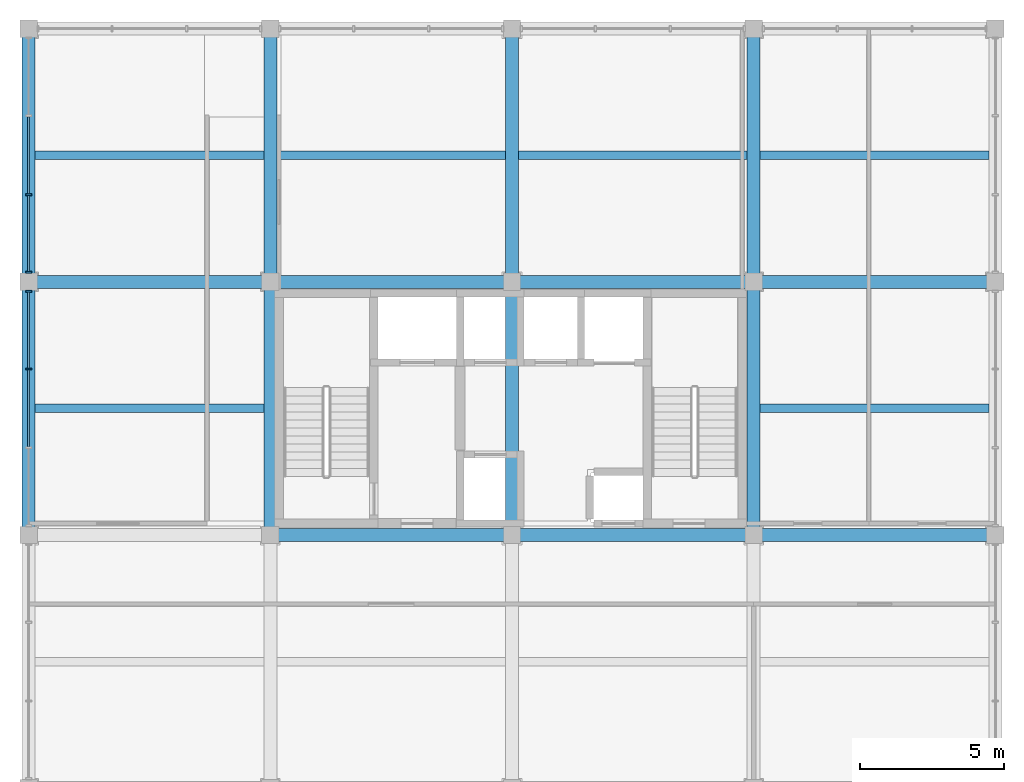
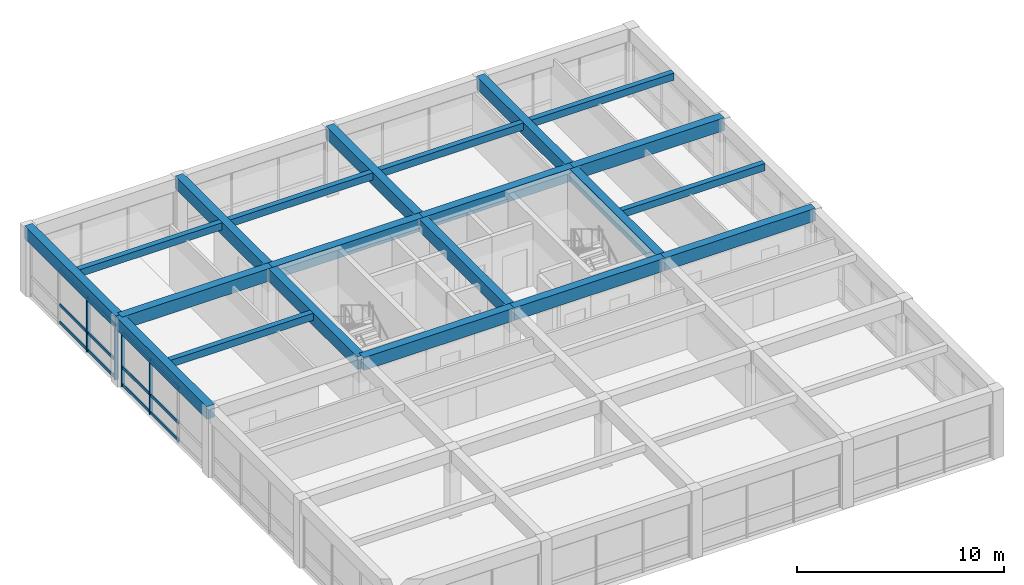
# One storey, part 4 of 14: 21 beams, 16 members, 2 elements without a shape of their own.
"""IFC4 building model written with IfcOpenShell, lengths in metres."""

from ifc_helpers import new_model, si_unit, direction, frame, origin, origin_2d, place, context, subcontext, project, spatial, rectangle, extrude, material, material_profile, profile_set, type_object, element, aggregate, save


model = new_model("IFC4")

# Units and contexts
model_context = context("Model", 3, precision=1e-05, world=origin(), true_north=direction((0.0, 1.0)))
body_context = subcontext(model_context, "Body", "Model", "MODEL_VIEW")
ifc_project = project(units=[si_unit("LENGTHUNIT", "METRE"), si_unit("AREAUNIT", "SQUARE_METRE"), si_unit("VOLUMEUNIT", "CUBIC_METRE"), si_unit("PLANEANGLEUNIT", "RADIAN"), si_unit("MASSUNIT", "GRAM", prefix="KILO")], contexts=[model_context])

# Site, building, storey
site_placement = place(None, origin())
site = spatial("IfcSite", under=ifc_project, at=site_placement, CompositionType="ELEMENT")
building_placement = place(site_placement, origin())
building = spatial("IfcBuilding", under=site, at=building_placement, Name="Kemercrest Conservatory and Botanical Centre", CompositionType="ELEMENT")
storey_placement = place(building_placement, frame((0.0, 0.0, 59.800048828125)))
storey = spatial("IfcBuildingStorey", under=building, at=storey_placement, Name="L15", CompositionType="ELEMENT", Elevation=59.800048828125)

# Beams
ifc_material_1 = material(Name="Concrete C40/50", Category="concrete")
ifc_material_profile_1 = material_profile(ifc_material_1, rectangle(XDim=0.449951171875, YDim=0.75, at=origin_2d()), Name="RC 450x750")
ifc_profile_set_1 = profile_set([ifc_material_profile_1], Name="Concrete C40/50")
beam_type_1 = type_object("IfcBeamType", Name="BM-RC75", PredefinedType="BEAM", material=ifc_profile_set_1)
beam_1_placement = place(storey_placement, frame((150.800048828125, 104.800048828125, 3.625), z_axis=(1.0, 0.0, 0.0), x_axis=(0.0, 1.0, 0.0)))
element("IfcBeam", 1, at=beam_1_placement, inside=storey, type_object=beam_type_1, Name="V4-L16 beam BM-RC75 M/18-19", PredefinedType="BEAM", context=body_context, shape_type="SweptSolid", body=[
    extrude(rectangle(XDim=0.449951171875, YDim=0.75, at=origin_2d()), origin(), (0.0, 0.0, 1.0), 8.39990234375),
])
beam_2_placement = place(storey_placement, frame((159.199951171875, 104.800048828125, 3.625), z_axis=(1.0, 0.0, 0.0), x_axis=(0.0, 1.0, 0.0)))
element("IfcBeam", 2, at=beam_2_placement, inside=storey, type_object=beam_type_1, Name="V4-L16 beam BM-RC75 M/19-20", PredefinedType="BEAM", context=body_context, shape_type="SweptSolid", body=[
    extrude(rectangle(XDim=0.449951171875, YDim=0.75, at=origin_2d()), origin(), (0.0, 0.0, 1.0), 8.400146484375),
])
beam_3_placement = place(storey_placement, frame((167.60009765625, 104.800048828125, 3.625), z_axis=(1.0, 0.0, 0.0), x_axis=(0.0, 1.0, 0.0)))
element("IfcBeam", 3, at=beam_3_placement, inside=storey, type_object=beam_type_1, Name="V4-L16 beam BM-RC75 M/20-21", PredefinedType="BEAM", context=body_context, shape_type="SweptSolid", body=[
    extrude(rectangle(XDim=0.449951171875, YDim=0.75, at=origin_2d()), origin(), (0.0, 0.0, 1.0), 8.39990234375),
])
beam_4_placement = place(storey_placement, frame((142.39990234375, 113.60009765625, 3.625), z_axis=(1.0, 0.0, 0.0), x_axis=(0.0, 1.0, 0.0)))
element("IfcBeam", 4, at=beam_4_placement, inside=storey, type_object=beam_type_1, Name="V4-L16 beam BM-RC75 N/17-18", PredefinedType="BEAM", context=body_context, shape_type="SweptSolid", body=[
    extrude(rectangle(XDim=0.449951171875, YDim=0.75, at=origin_2d()), origin(), (0.0, 0.0, 1.0), 8.400146484375),
])
beam_5_placement = place(storey_placement, frame((150.800048828125, 113.60009765625, 3.625), z_axis=(1.0, 0.0, 0.0), x_axis=(0.0, 1.0, 0.0)))
element("IfcBeam", 5, at=beam_5_placement, inside=storey, type_object=beam_type_1, Name="V4-L16 beam BM-RC75 N/18-19", PredefinedType="BEAM", context=body_context, shape_type="SweptSolid", body=[
    extrude(rectangle(XDim=0.449951171875, YDim=0.75, at=origin_2d()), origin(), (0.0, 0.0, 1.0), 8.39990234375),
])
beam_6_placement = place(storey_placement, frame((159.199951171875, 113.60009765625, 3.625), z_axis=(1.0, 0.0, 0.0), x_axis=(0.0, 1.0, 0.0)))
element("IfcBeam", 6, at=beam_6_placement, inside=storey, type_object=beam_type_1, Name="V4-L16 beam BM-RC75 N/19-20", PredefinedType="BEAM", context=body_context, shape_type="SweptSolid", body=[
    extrude(rectangle(XDim=0.449951171875, YDim=0.75, at=origin_2d()), origin(), (0.0, 0.0, 1.0), 8.400146484375),
])
beam_7_placement = place(storey_placement, frame((167.60009765625, 113.60009765625, 3.625), z_axis=(1.0, 0.0, 0.0), x_axis=(0.0, 1.0, 0.0)))
element("IfcBeam", 7, at=beam_7_placement, inside=storey, type_object=beam_type_1, Name="V4-L16 beam BM-RC75 N/20-21", PredefinedType="BEAM", context=body_context, shape_type="SweptSolid", body=[
    extrude(rectangle(XDim=0.449951171875, YDim=0.75, at=origin_2d()), origin(), (0.0, 0.0, 1.0), 8.39990234375),
])
beam_8_placement = place(storey_placement, frame((150.800048828125, 104.800048828125, 3.625), z_axis=(0.0, 1.0, 0.0), x_axis=(-1.0, 0.0, 0.0)))
element("IfcBeam", 8, at=beam_8_placement, inside=storey, type_object=beam_type_1, Name="V4-L16 beam BM-RC75 18/M-N", PredefinedType="BEAM", context=body_context, shape_type="SweptSolid", body=[
    extrude(rectangle(XDim=0.449951171875, YDim=0.75, at=origin_2d()), origin(), (0.0, 0.0, 1.0), 8.800048828125),
])
beam_9_placement = place(storey_placement, frame((150.800048828125, 113.60009765625, 3.625), z_axis=(0.0, 1.0, 0.0), x_axis=(-1.0, 0.0, 0.0)))
element("IfcBeam", 9, at=beam_9_placement, inside=storey, type_object=beam_type_1, Name="V4-L16 beam BM-RC75 18/N-P", PredefinedType="BEAM", context=body_context, shape_type="SweptSolid", body=[
    extrude(rectangle(XDim=0.449951171875, YDim=0.75, at=origin_2d()), origin(), (0.0, 0.0, 1.0), 8.7998046875),
])
beam_10_placement = place(storey_placement, frame((159.199951171875, 104.800048828125, 3.625), z_axis=(0.0, 1.0, 0.0), x_axis=(-1.0, 0.0, 0.0)))
element("IfcBeam", 10, at=beam_10_placement, inside=storey, type_object=beam_type_1, Name="V4-L16 beam BM-RC75 19/M-N", PredefinedType="BEAM", context=body_context, shape_type="SweptSolid", body=[
    extrude(rectangle(XDim=0.449951171875, YDim=0.75, at=origin_2d()), origin(), (0.0, 0.0, 1.0), 8.800048828125),
])
beam_11_placement = place(storey_placement, frame((159.199951171875, 113.60009765625, 3.625), z_axis=(0.0, 1.0, 0.0), x_axis=(-1.0, 0.0, 0.0)))
element("IfcBeam", 11, at=beam_11_placement, inside=storey, type_object=beam_type_1, Name="V4-L16 beam BM-RC75 19/N-P", PredefinedType="BEAM", context=body_context, shape_type="SweptSolid", body=[
    extrude(rectangle(XDim=0.449951171875, YDim=0.75, at=origin_2d()), origin(), (0.0, 0.0, 1.0), 8.7998046875),
])
beam_12_placement = place(storey_placement, frame((167.60009765625, 104.800048828125, 3.625), z_axis=(0.0, 1.0, 0.0), x_axis=(-1.0, 0.0, 0.0)))
element("IfcBeam", 12, at=beam_12_placement, inside=storey, type_object=beam_type_1, Name="V4-L16 beam BM-RC75 20/M-N", PredefinedType="BEAM", context=body_context, shape_type="SweptSolid", body=[
    extrude(rectangle(XDim=0.449951171875, YDim=0.75, at=origin_2d()), origin(), (0.0, 0.0, 1.0), 8.800048828125),
])
beam_13_placement = place(storey_placement, frame((167.60009765625, 113.60009765625, 3.625), z_axis=(0.0, 1.0, 0.0), x_axis=(-1.0, 0.0, 0.0)))
element("IfcBeam", 13, at=beam_13_placement, inside=storey, type_object=beam_type_1, Name="V4-L16 beam BM-RC75 20/N-P", PredefinedType="BEAM", context=body_context, shape_type="SweptSolid", body=[
    extrude(rectangle(XDim=0.449951171875, YDim=0.75, at=origin_2d()), origin(), (0.0, 0.0, 1.0), 8.7998046875),
])

# Curtain wall, members
ifc_material_2 = material(Name="Thermally broken aluminium and triple low-e glazing", Category="aluminium")
curtain_wall_type_1 = type_object("IfcCurtainWallType", Name="CW-08", PredefinedType="USERDEFINED", material=ifc_material_2)
curtain_wall_1_placement = place(storey_placement, origin())
curtain_wall_1 = element("IfcCurtainWall", 14, at=curtain_wall_1_placement, inside=storey, type_object=curtain_wall_type_1, Name="Unitised curtain wall CW-08 (CW:L15:V4-157)", ObjectType="UNITISED CURTAIN WALL", PredefinedType="USERDEFINED")
ifc_material_3 = material(Name="Thermally broken anodized aluminium 6063-T6", Category="aluminium")
ifc_material_profile_2 = material_profile(ifc_material_3, rectangle(XDim=0.199951171875, YDim=0.06494140625, at=origin_2d()), Name="AL MULLION 65x200")
ifc_profile_set_2 = profile_set([ifc_material_profile_2], Name="Thermally broken anodized aluminium 6063-T6")
member_type_1 = type_object("IfcMemberType", Name="CW-M200", PredefinedType="MULLION", material=ifc_profile_set_2)
member_1_placement = place(storey_placement, frame((142.39990234375, 116.631591796875, 0.0), z_axis=(0.0, 0.0, 1.0), x_axis=(1.0, 0.0, 0.0)))
member_1 = element("IfcMember", 15, at=member_1_placement, type_object=member_type_1, Name="CW-08 mullion 3", PredefinedType="MULLION", context=body_context, shape_type="SweptSolid", body=[
    extrude(rectangle(XDim=0.199951171875, YDim=0.06494140625, at=origin_2d()), origin(), (0.0, 0.0, 1.0), 3.2548828125),
])
member_2_placement = place(storey_placement, frame((142.39990234375, 113.927490234375, 0.0), z_axis=(0.0, 0.0, 1.0), x_axis=(1.0, 0.0, 0.0)))
member_2 = element("IfcMember", 16, at=member_2_placement, type_object=member_type_1, Name="CW-08 mullion 4", PredefinedType="MULLION", context=body_context, shape_type="SweptSolid", body=[
    extrude(rectangle(XDim=0.199951171875, YDim=0.06494140625, at=origin_2d()), origin(), (0.0, 0.0, 1.0), 3.2548828125),
])

curtain_wall_type_2 = type_object("IfcCurtainWallType", Name="CW-09", PredefinedType="USERDEFINED", material=ifc_material_2)
curtain_wall_2_placement = place(storey_placement, origin())
curtain_wall_2 = element("IfcCurtainWall", 17, at=curtain_wall_2_placement, inside=storey, type_object=curtain_wall_type_2, Name="Unitised curtain wall CW-09 (CW:L15:V4-158)", ObjectType="UNITISED CURTAIN WALL", PredefinedType="USERDEFINED")
member_3_placement = place(storey_placement, frame((142.39990234375, 113.2724609375, 0.0), z_axis=(0.0, 0.0, 1.0), x_axis=(1.0, 0.0, 0.0)))
member_3 = element("IfcMember", 18, at=member_3_placement, type_object=member_type_1, Name="CW-09 mullion 1", PredefinedType="MULLION", context=body_context, shape_type="SweptSolid", body=[
    extrude(rectangle(XDim=0.199951171875, YDim=0.06494140625, at=origin_2d()), origin(), (0.0, 0.0, 1.0), 3.2548828125),
])
member_4_placement = place(storey_placement, frame((142.39990234375, 110.568359375, 0.0), z_axis=(0.0, 0.0, 1.0), x_axis=(1.0, 0.0, 0.0)))
member_4 = element("IfcMember", 19, at=member_4_placement, type_object=member_type_1, Name="CW-09 mullion 2", PredefinedType="MULLION", context=body_context, shape_type="SweptSolid", body=[
    extrude(rectangle(XDim=0.199951171875, YDim=0.06494140625, at=origin_2d()), origin(), (0.0, 0.0, 1.0), 3.2548828125),
])

# Member
ifc_material_profile_3 = material_profile(ifc_material_3, rectangle(XDim=0.074951171875, YDim=0.179931640625, at=origin_2d()), Name="AL TRANSOM 75x180")
ifc_profile_set_3 = profile_set([ifc_material_profile_3], Name="Thermally broken anodized aluminium 6063-T6")
member_type_2 = type_object("IfcMemberType", Name="CW-T180", PredefinedType="USERDEFINED", material=ifc_profile_set_3)
member_5_placement = place(storey_placement, frame((142.39990234375, 119.3359375, 0.08984375), z_axis=(0.0, -1.0, 0.0), x_axis=(1.0, 0.0, 0.0)))
member_5 = element("IfcMember", 20, at=member_5_placement, type_object=member_type_2, Name="CW-08 transom 2.1", ObjectType="TRANSOM", PredefinedType="USERDEFINED", context=body_context, shape_type="SweptSolid", body=[
    extrude(rectangle(XDim=0.074951171875, YDim=0.179931640625, at=origin_2d()), origin(), (0.0, 0.0, 1.0), 2.671875),
])

member_6_placement = place(storey_placement, frame((142.39990234375, 119.3359375, 1.119873046875), z_axis=(0.0, -1.0, 0.0), x_axis=(1.0, 0.0, 0.0)))
member_6 = element("IfcMember", 21, at=member_6_placement, type_object=member_type_2, Name="CW-08 transom 2.2", ObjectType="TRANSOM", PredefinedType="USERDEFINED", context=body_context, shape_type="SweptSolid", body=[
    extrude(rectangle(XDim=0.074951171875, YDim=0.179931640625, at=origin_2d()), origin(), (0.0, 0.0, 1.0), 2.671875),
])

member_7_placement = place(storey_placement, frame((142.39990234375, 119.3359375, 3.1650390625), z_axis=(0.0, -1.0, 0.0), x_axis=(1.0, 0.0, 0.0)))
member_7 = element("IfcMember", 22, at=member_7_placement, type_object=member_type_2, Name="CW-08 transom 2.3", ObjectType="TRANSOM", PredefinedType="USERDEFINED", context=body_context, shape_type="SweptSolid", body=[
    extrude(rectangle(XDim=0.074951171875, YDim=0.179931640625, at=origin_2d()), origin(), (0.0, 0.0, 1.0), 2.671875),
])

member_8_placement = place(storey_placement, frame((142.39990234375, 116.59912109375, 0.08984375), z_axis=(0.0, -1.0, 0.0), x_axis=(1.0, 0.0, 0.0)))
member_8 = element("IfcMember", 23, at=member_8_placement, type_object=member_type_2, Name="CW-08 transom 3.1", ObjectType="TRANSOM", PredefinedType="USERDEFINED", context=body_context, shape_type="SweptSolid", body=[
    extrude(rectangle(XDim=0.074951171875, YDim=0.179931640625, at=origin_2d()), origin(), (0.0, 0.0, 1.0), 2.63916015625),
])

member_9_placement = place(storey_placement, frame((142.39990234375, 116.59912109375, 1.119873046875), z_axis=(0.0, -1.0, 0.0), x_axis=(1.0, 0.0, 0.0)))
member_9 = element("IfcMember", 24, at=member_9_placement, type_object=member_type_2, Name="CW-08 transom 3.2", ObjectType="TRANSOM", PredefinedType="USERDEFINED", context=body_context, shape_type="SweptSolid", body=[
    extrude(rectangle(XDim=0.074951171875, YDim=0.179931640625, at=origin_2d()), origin(), (0.0, 0.0, 1.0), 2.63916015625),
])

member_10_placement = place(storey_placement, frame((142.39990234375, 116.59912109375, 3.1650390625), z_axis=(0.0, -1.0, 0.0), x_axis=(1.0, 0.0, 0.0)))
member_10 = element("IfcMember", 25, at=member_10_placement, type_object=member_type_2, Name="CW-08 transom 3.3", ObjectType="TRANSOM", PredefinedType="USERDEFINED", context=body_context, shape_type="SweptSolid", body=[
    extrude(rectangle(XDim=0.074951171875, YDim=0.179931640625, at=origin_2d()), origin(), (0.0, 0.0, 1.0), 2.63916015625),
])

aggregate(curtain_wall_1, [member_1, member_2, member_5, member_6, member_7, member_8, member_9, member_10])

member_11_placement = place(storey_placement, frame((142.39990234375, 113.239990234375, 0.08984375), z_axis=(0.0, -1.0, 0.0), x_axis=(1.0, 0.0, 0.0)))
member_11 = element("IfcMember", 26, at=member_11_placement, type_object=member_type_2, Name="CW-09 transom 1.1", ObjectType="TRANSOM", PredefinedType="USERDEFINED", context=body_context, shape_type="SweptSolid", body=[
    extrude(rectangle(XDim=0.074951171875, YDim=0.179931640625, at=origin_2d()), origin(), (0.0, 0.0, 1.0), 2.63916015625),
])

member_12_placement = place(storey_placement, frame((142.39990234375, 113.239990234375, 1.119873046875), z_axis=(0.0, -1.0, 0.0), x_axis=(1.0, 0.0, 0.0)))
member_12 = element("IfcMember", 27, at=member_12_placement, type_object=member_type_2, Name="CW-09 transom 1.2", ObjectType="TRANSOM", PredefinedType="USERDEFINED", context=body_context, shape_type="SweptSolid", body=[
    extrude(rectangle(XDim=0.074951171875, YDim=0.179931640625, at=origin_2d()), origin(), (0.0, 0.0, 1.0), 2.63916015625),
])

member_13_placement = place(storey_placement, frame((142.39990234375, 113.239990234375, 3.1650390625), z_axis=(0.0, -1.0, 0.0), x_axis=(1.0, 0.0, 0.0)))
member_13 = element("IfcMember", 28, at=member_13_placement, type_object=member_type_2, Name="CW-09 transom 1.3", ObjectType="TRANSOM", PredefinedType="USERDEFINED", context=body_context, shape_type="SweptSolid", body=[
    extrude(rectangle(XDim=0.074951171875, YDim=0.179931640625, at=origin_2d()), origin(), (0.0, 0.0, 1.0), 2.63916015625),
])

member_14_placement = place(storey_placement, frame((142.39990234375, 110.535888671875, 0.08984375), z_axis=(0.0, -1.0, 0.0), x_axis=(1.0, 0.0, 0.0)))
member_14 = element("IfcMember", 29, at=member_14_placement, type_object=member_type_2, Name="CW-09 transom 2.1", ObjectType="TRANSOM", PredefinedType="USERDEFINED", context=body_context, shape_type="SweptSolid", body=[
    extrude(rectangle(XDim=0.074951171875, YDim=0.179931640625, at=origin_2d()), origin(), (0.0, 0.0, 1.0), 2.671630859375),
])

member_15_placement = place(storey_placement, frame((142.39990234375, 110.535888671875, 1.119873046875), z_axis=(0.0, -1.0, 0.0), x_axis=(1.0, 0.0, 0.0)))
member_15 = element("IfcMember", 30, at=member_15_placement, type_object=member_type_2, Name="CW-09 transom 2.2", ObjectType="TRANSOM", PredefinedType="USERDEFINED", context=body_context, shape_type="SweptSolid", body=[
    extrude(rectangle(XDim=0.074951171875, YDim=0.179931640625, at=origin_2d()), origin(), (0.0, 0.0, 1.0), 2.671630859375),
])

member_16_placement = place(storey_placement, frame((142.39990234375, 110.535888671875, 3.1650390625), z_axis=(0.0, -1.0, 0.0), x_axis=(1.0, 0.0, 0.0)))
member_16 = element("IfcMember", 31, at=member_16_placement, type_object=member_type_2, Name="CW-09 transom 2.3", ObjectType="TRANSOM", PredefinedType="USERDEFINED", context=body_context, shape_type="SweptSolid", body=[
    extrude(rectangle(XDim=0.074951171875, YDim=0.179931640625, at=origin_2d()), origin(), (0.0, 0.0, 1.0), 2.671630859375),
])

aggregate(curtain_wall_2, [member_3, member_4, member_11, member_12, member_13, member_14, member_15, member_16])

# Beams
ifc_material_profile_4 = material_profile(ifc_material_1, rectangle(XDim=0.300048828125, YDim=0.419921875, at=origin_2d()), Name="RC 300x420")
ifc_profile_set_4 = profile_set([ifc_material_profile_4], Name="Concrete C40/50")
beam_type_2 = type_object("IfcBeamType", Name="JS-RC42", PredefinedType="JOIST", material=ifc_profile_set_4)
for number, where, z_axis, x_axis, name in (
    (32, (142.625, 109.199951171875, 3.7900390625), (1.0, 0.0, 0.0), (0.0, 1.0, 0.0), "V4-L16 secondary joist JS-RC42"),
    (33, (167.824951171875, 109.199951171875, 3.7900390625), (1.0, 0.0, 0.0), (0.0, 1.0, 0.0), "V4-L16 secondary joist JS-RC42"),
    (34, (142.625, 118.0, 3.7900390625), (1.0, 0.0, 0.0), (0.0, 1.0, 0.0), "V4-L16 secondary joist JS-RC42"),
):
    element("IfcBeam", number, at=place(storey_placement, frame(where, z_axis=z_axis, x_axis=x_axis)), inside=storey, type_object=beam_type_2, Name=name, PredefinedType="JOIST", context=body_context, shape_type="SweptSolid", body=[
        extrude(rectangle(XDim=0.300048828125, YDim=0.419921875, at=origin_2d()), origin(), (0.0, 0.0, 1.0), 7.949951171875),
    ])
beam_14_placement = place(storey_placement, frame((151.02490234375, 118.0, 3.7900390625), z_axis=(1.0, 0.0, 0.0), x_axis=(0.0, 1.0, 0.0)))
element("IfcBeam", 35, at=beam_14_placement, inside=storey, type_object=beam_type_2, Name="V4-L16 secondary joist JS-RC42", PredefinedType="JOIST", context=body_context, shape_type="SweptSolid", body=[
    extrude(rectangle(XDim=0.300048828125, YDim=0.419921875, at=origin_2d()), origin(), (0.0, 0.0, 1.0), 7.9501953125),
])
for number, where, z_axis, x_axis, name in (
    (36, (159.425048828125, 118.0, 3.7900390625), (1.0, 0.0, 0.0), (0.0, 1.0, 0.0), "V4-L16 secondary joist JS-RC42"),
    (37, (167.824951171875, 118.0, 3.7900390625), (1.0, 0.0, 0.0), (0.0, 1.0, 0.0), "V4-L16 secondary joist JS-RC42"),
):
    element("IfcBeam", number, at=place(storey_placement, frame(where, z_axis=z_axis, x_axis=x_axis)), inside=storey, type_object=beam_type_2, Name=name, PredefinedType="JOIST", context=body_context, shape_type="SweptSolid", body=[
        extrude(rectangle(XDim=0.300048828125, YDim=0.419921875, at=origin_2d()), origin(), (0.0, 0.0, 1.0), 7.949951171875),
    ])
ifc_material_profile_5 = material_profile(ifc_material_1, rectangle(XDim=0.449951171875, YDim=0.75, at=origin_2d()), Name="RC 450x750")
ifc_profile_set_5 = profile_set([ifc_material_profile_5], Name="Concrete C40/50")
beam_type_3 = type_object("IfcBeamType", Name="SP-RC75", PredefinedType="SPANDREL", material=ifc_profile_set_5)
beam_15_placement = place(storey_placement, frame((142.39990234375, 104.800048828125, 3.625), z_axis=(0.0, 1.0, 0.0), x_axis=(-1.0, 0.0, 0.0)))
element("IfcBeam", 38, at=beam_15_placement, inside=storey, type_object=beam_type_3, Name="V4-L16 beam SP-RC75 17/M-N", PredefinedType="SPANDREL", context=body_context, shape_type="SweptSolid", body=[
    extrude(rectangle(XDim=0.449951171875, YDim=0.75, at=origin_2d()), origin(), (0.0, 0.0, 1.0), 8.800048828125),
])
beam_16_placement = place(storey_placement, frame((142.39990234375, 113.60009765625, 3.625), z_axis=(0.0, 1.0, 0.0), x_axis=(-1.0, 0.0, 0.0)))
element("IfcBeam", 39, at=beam_16_placement, inside=storey, type_object=beam_type_3, Name="V4-L16 beam SP-RC75 17/N-P", PredefinedType="SPANDREL", context=body_context, shape_type="SweptSolid", body=[
    extrude(rectangle(XDim=0.449951171875, YDim=0.75, at=origin_2d()), origin(), (0.0, 0.0, 1.0), 8.7998046875),
])

save(model, "model.ifc")
